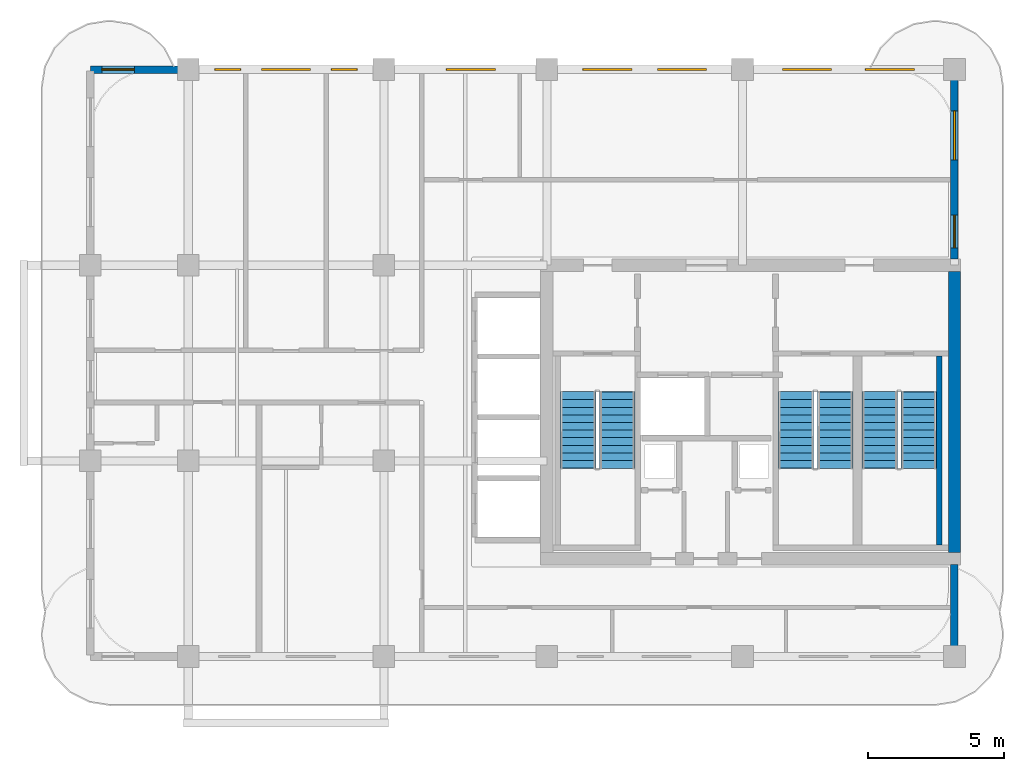
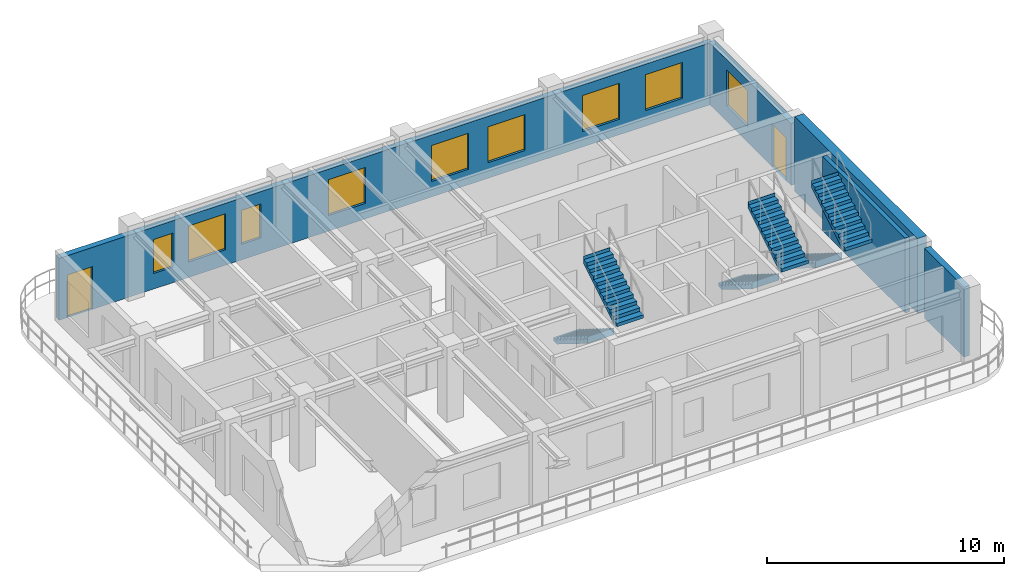
# One storey, part 5 of 7: 9 windows, 6 stair flights, 5 walls, 2 doors, 11 openings, 3 elements without a shape of their own.
"""IFC4 building model written with IfcOpenShell, lengths in metres."""

from ifc_helpers import new_model, si_unit, derived_unit, direction, frame, frame_2d, origin, place, context, subcontext, project, spatial, polyline, rectangle, outline, extrude, source, transform, mapped, material, layer, layer_set, type_object, type_shapes, element, fill, aggregate, save


model = new_model("IFC4")

# Units and contexts
model_context = context("Model", 3, precision=1e-05, world=origin(), true_north=direction((0.0, 1.0)))
body_context = subcontext(model_context, "Body", "Model", "MODEL_VIEW")
ifc_project = project(units=[si_unit("LENGTHUNIT", "METRE"), si_unit("AREAUNIT", "SQUARE_METRE"), si_unit("VOLUMEUNIT", "CUBIC_METRE"), si_unit("PLANEANGLEUNIT", "RADIAN"), si_unit("MASSUNIT", "GRAM", prefix="KILO"), si_unit("THERMODYNAMICTEMPERATUREUNIT", "KELVIN"), si_unit("POWERUNIT", "WATT"), derived_unit("THERMALTRANSMITTANCEUNIT", [(si_unit("POWERUNIT", "WATT"), 1), (si_unit("AREAUNIT", "SQUARE_METRE"), -1), (si_unit("THERMODYNAMICTEMPERATUREUNIT", "KELVIN"), -1)])], contexts=[model_context])

# Site, building, storey
site_placement = place(None, origin())
site = spatial("IfcSite", under=ifc_project, at=site_placement, CompositionType="ELEMENT")
building_placement = place(site_placement, origin())
building = spatial("IfcBuilding", under=site, at=building_placement, Name="Zahravan Archway Hotel and Residences", CompositionType="ELEMENT")
storey_placement = place(building_placement, frame((0.0, 0.0, 267.35009765625)))
storey = spatial("IfcBuildingStorey", under=building, at=storey_placement, Name="L67", CompositionType="ELEMENT", Elevation=267.35009765625)

# Walls
ifc_material_1 = material(Name="Concrete C50/60", Category="concrete")
ifc_layer_1 = layer(ifc_material_1, 0.449951171875, Name="Concrete C50/60", Category="concrete")
ifc_layer_set_1 = layer_set([ifc_layer_1], Name="Concrete C50/60")
wall_type_1 = type_object("IfcWallType", Name="CW-CORE-450", PredefinedType="SHEAR", material=ifc_layer_set_1)
wall_1_placement = place(storey_placement, frame((49.800048828125, 3.824951171875, 0.0), z_axis=(0.0, 0.0, 1.0), x_axis=(0.0, 1.0, 0.0)))
element("IfcWall", 1, at=wall_1_placement, inside=storey, type_object=wall_type_1, Name="L67 Core A Shear E Wall 450 mm", PredefinedType="SHEAR", context=body_context, shape_type="SweptSolid", body=[
    extrude(rectangle(XDim=10.35009765625, YDim=0.449951171875, at=frame_2d((5.175048828125, 0.0))), origin(), (0.0, 0.0, 1.0), 3.849853515625),
])
ifc_material_2 = material(Name="Honed Red-Ochre Sandstone & Insulated Block", Category="masonry")
ifc_layer_2 = layer(ifc_material_2, 0.280029296875, Name="Honed Red-Ochre Sandstone & Insulated Block", Category="masonry")
ifc_layer_set_2 = layer_set([ifc_layer_2], Name="Honed Red-Ochre Sandstone & Insulated Block")
wall_type_2 = type_object("IfcWallType", Name="EW-LOG-280", PredefinedType="SOLIDWALL", material=ifc_layer_set_2)
wall_2_placement = place(storey_placement, frame((49.800048828125, 0.050048828125, 0.0), z_axis=(0.0, 0.0, 1.0), x_axis=(0.0, 1.0, 0.0)))
element("IfcWall", 2, at=wall_2_placement, inside=storey, type_object=wall_type_2, Name="L67 Exterior Sandstone Wall WA-ES", PredefinedType="SOLIDWALL", context=body_context, shape_type="SweptSolid", body=[
    extrude(rectangle(XDim=3.329833984375, YDim=0.280029296875, at=frame_2d((1.6650390625, 0.0))), origin(), (0.0, 0.0, 1.0), 3.599853515625),
])

# Wall, openings, door, window
wall_3_placement = place(storey_placement, frame((49.800048828125, 14.6201171875, 0.0), z_axis=(0.0, 0.0, 1.0), x_axis=(0.0, 1.0, 0.0)))
wall_3 = element("IfcWall", 3, at=wall_3_placement, inside=storey, type_object=wall_type_2, Name="L67 Exterior Sandstone Wall WA-EN", PredefinedType="SOLIDWALL", context=body_context, shape_type="SweptSolid", body=[
    extrude(rectangle(XDim=6.929931640625, YDim=0.280029296875, at=frame_2d((3.46484375, 0.0))), origin(), (0.0, 0.0, 1.0), 3.184814453125),
])
opening_1_placement = place(wall_3_placement, frame((0.419921875, 0.0, 0.0)))
opening_1 = element("IfcOpeningElement", 4, at=opening_1_placement, cuts=wall_3, Name="Opening ED-BL1", PredefinedType="OPENING", context=body_context, shape_type="SweptSolid", body=[
    extrude(rectangle(XDim=1.199951171875, YDim=2.199951171875, at=frame_2d((0.60009765625, 1.10009765625))), frame((0.0, 0.14990234375, 0.0), z_axis=(0.0, -1.0, 0.0), x_axis=(1.0, 0.0, 0.0)), (0.0, 0.0, 1.0), 0.300048828125),
])
opening_2_placement = place(wall_3_placement, frame((3.658935546875, 0.0, 0.800048828125)))
opening_2 = element("IfcOpeningElement", 5, at=opening_2_placement, cuts=wall_3, Name="Opening W-02", PredefinedType="OPENING", context=body_context, shape_type="SweptSolid", body=[
    extrude(rectangle(XDim=1.800048828125, YDim=1.85009765625, at=frame_2d((0.89990234375, 0.925048828125))), frame((0.0, 0.14990234375, 0.0), z_axis=(0.0, -1.0, 0.0), x_axis=(1.0, 0.0, 0.0)), (0.0, 0.0, 1.0), 0.300048828125),
])
ifc_material_3 = material(Name="Bronze-Anodized Glazed Aluminium", Category="aluminium")
door_type = type_object("IfcDoorType", Name="ED-BALC-1200", OperationType="SLIDING_TO_LEFT", PredefinedType="DOOR", material=ifc_material_3)
shared_shape_1 = source(origin(), body_context, "Body", "SweptSolid", [
    extrude(rectangle(XDim=1.199951171875, YDim=2.199951171875, at=frame_2d((0.60009765625, 1.10009765625))), frame((0.0, 0.02490234375, 0.0), z_axis=(0.0, -1.0, 0.0), x_axis=(1.0, 0.0, 0.0)), (0.0, 0.0, 1.0), 0.050048828125),
])
type_shapes(door_type, [shared_shape_1])
door_1_placement = place(opening_1_placement, origin())
door_1 = element("IfcDoor", 6, at=door_1_placement, inside=storey, type_object=door_type, Name="L67 Outdoor Access Sliding Door (SLB-BAL-L67-EA)", OperationType="SLIDING_TO_LEFT", OverallHeight=2.199951171875, OverallWidth=1.199951171875, PredefinedType="DOOR", context=body_context, shape_type="MappedRepresentation", body=[
    mapped(shared_shape_1, transform((0.0, 0.0, 0.0), scale=1.0)),
])
fill(opening_1, door_1)
ifc_material_4 = material(Name="Bronze-Anodized Thermal-Break Aluminium & Low-E Glass", Category="aluminium")
window_type_1 = type_object("IfcWindowType", Name="WIN-TWR-1800", PartitioningType="DOUBLE_PANEL_VERTICAL", PredefinedType="WINDOW", material=ifc_material_4)
shared_shape_2 = source(origin(), body_context, "Body", "SweptSolid", [
    extrude(rectangle(XDim=1.800048828125, YDim=1.85009765625, at=frame_2d((0.89990234375, 0.925048828125))), frame((0.0, 0.030029296875, 0.0), z_axis=(0.0, -1.0, 0.0), x_axis=(1.0, 0.0, 0.0)), (0.0, 0.0, 1.0), 0.06005859375),
])
type_shapes(window_type_1, [shared_shape_2])
window_1_placement = place(opening_2_placement, origin())
window_1 = element("IfcWindow", 7, at=window_1_placement, inside=storey, type_object=window_type_1, Name="L67 Loggia Window 08", OverallHeight=1.85009765625, OverallWidth=1.800048828125, PartitioningType="DOUBLE_PANEL_VERTICAL", PredefinedType="WINDOW", context=body_context, shape_type="MappedRepresentation", body=[
    mapped(shared_shape_2, transform((0.0, 0.0, 0.0), scale=1.0)),
])
fill(opening_2, window_1)

# Wall, openings, door, windows
wall_4_placement = place(storey_placement, frame((18.0, 21.60009765625, 0.0), z_axis=(0.0, 0.0, 1.0), x_axis=(1.0, 0.0, 0.0)))
wall_4 = element("IfcWall", 8, at=wall_4_placement, inside=storey, type_object=wall_type_2, Name="L67 Exterior Sandstone Wall WA-N", PredefinedType="SOLIDWALL", context=body_context, shape_type="SweptSolid", body=[
    extrude(rectangle(XDim=31.800048828125, YDim=0.280029296875, at=frame_2d((15.89990234375, 0.0))), origin(), (0.0, 0.0, 1.0), 3.184814453125),
])
opening_3_placement = place(wall_4_placement, frame((0.419921875, 0.0, 0.0)))
opening_3 = element("IfcOpeningElement", 9, at=opening_3_placement, cuts=wall_4, Name="Opening ED-BL1", PredefinedType="OPENING", context=body_context, shape_type="SweptSolid", body=[
    extrude(rectangle(XDim=1.199951171875, YDim=2.199951171875, at=frame_2d((0.60009765625, 1.10009765625))), frame((0.0, 0.14990234375, 0.0), z_axis=(0.0, -1.0, 0.0), x_axis=(1.0, 0.0, 0.0)), (0.0, 0.0, 1.0), 0.300048828125),
])
opening_4_placement = place(wall_4_placement, frame((4.5810546875, 0.0, 0.800048828125)))
opening_4 = element("IfcOpeningElement", 10, at=opening_4_placement, cuts=wall_4, Name="Opening W-04", PredefinedType="OPENING", context=body_context, shape_type="SweptSolid", body=[
    extrude(rectangle(XDim=0.949951171875, YDim=1.75, at=frame_2d((0.47509765625, 0.875))), frame((0.0, 0.14990234375, 0.0), z_axis=(0.0, -1.0, 0.0), x_axis=(1.0, 0.0, 0.0)), (0.0, 0.0, 1.0), 0.300048828125),
])
opening_5_placement = place(wall_4_placement, frame((6.300048828125, 0.0, 0.800048828125)))
opening_5 = element("IfcOpeningElement", 11, at=opening_5_placement, cuts=wall_4, Name="Opening W-02", PredefinedType="OPENING", context=body_context, shape_type="SweptSolid", body=[
    extrude(rectangle(XDim=1.800048828125, YDim=1.85009765625, at=frame_2d((0.89990234375, 0.925048828125))), frame((0.0, 0.14990234375, 0.0), z_axis=(0.0, -1.0, 0.0), x_axis=(1.0, 0.0, 0.0)), (0.0, 0.0, 1.0), 0.300048828125),
])
opening_6_placement = place(wall_4_placement, frame((8.868896484375, 0.0, 0.800048828125)))
opening_6 = element("IfcOpeningElement", 12, at=opening_6_placement, cuts=wall_4, Name="Opening W-04", PredefinedType="OPENING", context=body_context, shape_type="SweptSolid", body=[
    extrude(rectangle(XDim=0.949951171875, YDim=1.75, at=frame_2d((0.47509765625, 0.875))), frame((0.0, 0.14990234375, 0.0), z_axis=(0.0, -1.0, 0.0), x_axis=(1.0, 0.0, 0.0)), (0.0, 0.0, 1.0), 0.300048828125),
])
opening_7_placement = place(wall_4_placement, frame((13.10107421875, 0.0, 0.800048828125)))
opening_7 = element("IfcOpeningElement", 13, at=opening_7_placement, cuts=wall_4, Name="Opening W-02", PredefinedType="OPENING", context=body_context, shape_type="SweptSolid", body=[
    extrude(rectangle(XDim=1.800048828125, YDim=1.85009765625, at=frame_2d((0.89990234375, 0.925048828125))), frame((0.0, 0.14990234375, 0.0), z_axis=(0.0, -1.0, 0.0), x_axis=(1.0, 0.0, 0.0)), (0.0, 0.0, 1.0), 0.300048828125),
])
opening_8_placement = place(wall_4_placement, frame((18.125, 0.0, 0.800048828125)))
opening_8 = element("IfcOpeningElement", 14, at=opening_8_placement, cuts=wall_4, Name="Opening W-02", PredefinedType="OPENING", context=body_context, shape_type="SweptSolid", body=[
    extrude(rectangle(XDim=1.800048828125, YDim=1.85009765625, at=frame_2d((0.89990234375, 0.925048828125))), frame((0.0, 0.14990234375, 0.0), z_axis=(0.0, -1.0, 0.0), x_axis=(1.0, 0.0, 0.0)), (0.0, 0.0, 1.0), 0.300048828125),
])
opening_9_placement = place(wall_4_placement, frame((20.875, 0.0, 0.800048828125)))
opening_9 = element("IfcOpeningElement", 15, at=opening_9_placement, cuts=wall_4, Name="Opening W-02", PredefinedType="OPENING", context=body_context, shape_type="SweptSolid", body=[
    extrude(rectangle(XDim=1.800048828125, YDim=1.85009765625, at=frame_2d((0.89990234375, 0.925048828125))), frame((0.0, 0.14990234375, 0.0), z_axis=(0.0, -1.0, 0.0), x_axis=(1.0, 0.0, 0.0)), (0.0, 0.0, 1.0), 0.300048828125),
])
opening_10_placement = place(wall_4_placement, frame((25.47509765625, 0.0, 0.800048828125)))
opening_10 = element("IfcOpeningElement", 16, at=opening_10_placement, cuts=wall_4, Name="Opening W-02", PredefinedType="OPENING", context=body_context, shape_type="SweptSolid", body=[
    extrude(rectangle(XDim=1.800048828125, YDim=1.85009765625, at=frame_2d((0.89990234375, 0.925048828125))), frame((0.0, 0.14990234375, 0.0), z_axis=(0.0, -1.0, 0.0), x_axis=(1.0, 0.0, 0.0)), (0.0, 0.0, 1.0), 0.300048828125),
])
opening_11_placement = place(wall_4_placement, frame((28.52490234375, 0.0, 0.800048828125)))
opening_11 = element("IfcOpeningElement", 17, at=opening_11_placement, cuts=wall_4, Name="Opening W-02", PredefinedType="OPENING", context=body_context, shape_type="SweptSolid", body=[
    extrude(rectangle(XDim=1.800048828125, YDim=1.85009765625, at=frame_2d((0.89990234375, 0.925048828125))), frame((0.0, 0.14990234375, 0.0), z_axis=(0.0, -1.0, 0.0), x_axis=(1.0, 0.0, 0.0)), (0.0, 0.0, 1.0), 0.300048828125),
])
door_2_placement = place(opening_3_placement, origin())
door_2 = element("IfcDoor", 18, at=door_2_placement, inside=storey, type_object=door_type, Name="L67 Outdoor Access Sliding Door (SLB-BAL-L67-WA)", OperationType="SLIDING_TO_LEFT", OverallHeight=2.199951171875, OverallWidth=1.199951171875, PredefinedType="DOOR", context=body_context, shape_type="MappedRepresentation", body=[
    mapped(shared_shape_1, transform((0.0, 0.0, 0.0), scale=1.0)),
])
fill(opening_3, door_2)
window_type_2 = type_object("IfcWindowType", Name="WIN-NAR-950", PartitioningType="SINGLE_PANEL", PredefinedType="WINDOW", material=ifc_material_4)
shared_shape_3 = source(origin(), body_context, "Body", "SweptSolid", [
    extrude(rectangle(XDim=0.949951171875, YDim=1.75, at=frame_2d((0.47509765625, 0.875))), frame((0.0, 0.030029296875, 0.0), z_axis=(0.0, -1.0, 0.0), x_axis=(1.0, 0.0, 0.0)), (0.0, 0.0, 1.0), 0.06005859375),
])
type_shapes(window_type_2, [shared_shape_3])
window_2_placement = place(opening_4_placement, origin())
window_2 = element("IfcWindow", 19, at=window_2_placement, inside=storey, type_object=window_type_2, Name="L67 Loggia Window 09", OverallHeight=1.75, OverallWidth=0.949951171875, PartitioningType="SINGLE_PANEL", PredefinedType="WINDOW", context=body_context, shape_type="MappedRepresentation", body=[
    mapped(shared_shape_3, transform((0.0, 0.0, 0.0), scale=1.0)),
])
fill(opening_4, window_2)
window_3_placement = place(opening_6_placement, origin())
window_3 = element("IfcWindow", 20, at=window_3_placement, inside=storey, type_object=window_type_2, Name="L67 Loggia Window 11", OverallHeight=1.75, OverallWidth=0.949951171875, PartitioningType="SINGLE_PANEL", PredefinedType="WINDOW", context=body_context, shape_type="MappedRepresentation", body=[
    mapped(shared_shape_3, transform((0.0, 0.0, 0.0), scale=1.0)),
])
fill(opening_6, window_3)
window_4_placement = place(opening_5_placement, origin())
window_4 = element("IfcWindow", 21, at=window_4_placement, inside=storey, type_object=window_type_1, Name="L67 Loggia Window 10", OverallHeight=1.85009765625, OverallWidth=1.800048828125, PartitioningType="DOUBLE_PANEL_VERTICAL", PredefinedType="WINDOW", context=body_context, shape_type="MappedRepresentation", body=[
    mapped(shared_shape_2, transform((0.0, 0.0, 0.0), scale=1.0)),
])
fill(opening_5, window_4)
window_5_placement = place(opening_7_placement, origin())
window_5 = element("IfcWindow", 22, at=window_5_placement, inside=storey, type_object=window_type_1, Name="L67 Loggia Window 12", OverallHeight=1.85009765625, OverallWidth=1.800048828125, PartitioningType="DOUBLE_PANEL_VERTICAL", PredefinedType="WINDOW", context=body_context, shape_type="MappedRepresentation", body=[
    mapped(shared_shape_2, transform((0.0, 0.0, 0.0), scale=1.0)),
])
fill(opening_7, window_5)
window_6_placement = place(opening_8_placement, origin())
window_6 = element("IfcWindow", 23, at=window_6_placement, inside=storey, type_object=window_type_1, Name="L67 Loggia Window 13", OverallHeight=1.85009765625, OverallWidth=1.800048828125, PartitioningType="DOUBLE_PANEL_VERTICAL", PredefinedType="WINDOW", context=body_context, shape_type="MappedRepresentation", body=[
    mapped(shared_shape_2, transform((0.0, 0.0, 0.0), scale=1.0)),
])
fill(opening_8, window_6)
window_7_placement = place(opening_9_placement, origin())
window_7 = element("IfcWindow", 24, at=window_7_placement, inside=storey, type_object=window_type_1, Name="L67 Loggia Window 14", OverallHeight=1.85009765625, OverallWidth=1.800048828125, PartitioningType="DOUBLE_PANEL_VERTICAL", PredefinedType="WINDOW", context=body_context, shape_type="MappedRepresentation", body=[
    mapped(shared_shape_2, transform((0.0, 0.0, 0.0), scale=1.0)),
])
fill(opening_9, window_7)
window_8_placement = place(opening_10_placement, origin())
window_8 = element("IfcWindow", 25, at=window_8_placement, inside=storey, type_object=window_type_1, Name="L67 Loggia Window 15", OverallHeight=1.85009765625, OverallWidth=1.800048828125, PartitioningType="DOUBLE_PANEL_VERTICAL", PredefinedType="WINDOW", context=body_context, shape_type="MappedRepresentation", body=[
    mapped(shared_shape_2, transform((0.0, 0.0, 0.0), scale=1.0)),
])
fill(opening_10, window_8)
window_9_placement = place(opening_11_placement, origin())
window_9 = element("IfcWindow", 26, at=window_9_placement, inside=storey, type_object=window_type_1, Name="L67 Loggia Window 16", OverallHeight=1.85009765625, OverallWidth=1.800048828125, PartitioningType="DOUBLE_PANEL_VERTICAL", PredefinedType="WINDOW", context=body_context, shape_type="MappedRepresentation", body=[
    mapped(shared_shape_2, transform((0.0, 0.0, 0.0), scale=1.0)),
])
fill(opening_11, window_9)

# Wall
ifc_layer_3 = layer(ifc_material_1, 0.199951171875, Name="Concrete C50/60", Category="concrete")
ifc_layer_set_3 = layer_set([ifc_layer_3], Name="Concrete C50/60")
wall_type_3 = type_object("IfcWallType", Name="SW-STAIR-200", PredefinedType="SHEAR", material=ifc_layer_set_3)
wall_5_placement = place(storey_placement, frame((49.239990234375, 4.10009765625, 0.0), z_axis=(0.0, 0.0, 1.0), x_axis=(0.0, 1.0, 0.0)))
element("IfcWall", 27, at=wall_5_placement, inside=storey, type_object=wall_type_3, Name="L67 Stairwell RC Wall CA-SA3E", PredefinedType="SHEAR", context=body_context, shape_type="SweptSolid", body=[
    extrude(rectangle(XDim=6.949951171875, YDim=0.199951171875, at=frame_2d((3.47509765625, 0.0))), origin(), (0.0, 0.0, 1.0), 3.849853515625),
])

# Stair, stair flights
stair_type = type_object("IfcStairType", Name="STR-CORE-1300", PredefinedType="HALF_TURN_STAIR", material=ifc_material_1)
stair_1_placement = place(storey_placement, origin())
stair_1 = element("IfcStair", 28, at=stair_1_placement, inside=storey, type_object=stair_type, Name="L67 Core A Exit Stair 1", PredefinedType="HALF_TURN_STAIR")
ifc_layer_4 = layer(ifc_material_1, 0.199951171875, Name="Concrete C50/60", Category="concrete")
ifc_layer_set_4 = layer_set([ifc_layer_4], Name="Concrete C50/60")
stair_flight_type = type_object("IfcStairFlightType", Name="SFL-CORE-1300", PredefinedType="STRAIGHT", material=ifc_layer_set_4)
shared_shape_4 = source(origin(), body_context, "Body", "SweptSolid", [
    extrude(outline(polyline([(-0.01611328125, 0.0), (-0.01611328125, 0.175048828125), (0.280029296875, 0.175048828125), (0.280029296875, 0.35009765625), (0.56005859375, 0.35009765625), (0.56005859375, 0.52490234375), (0.840087890625, 0.52490234375), (0.840087890625, 0.699951171875), (1.1201171875, 0.699951171875), (1.1201171875, 0.875), (1.39990234375, 0.875), (1.39990234375, 1.050048828125), (1.679931640625, 1.050048828125), (1.679931640625, 1.22509765625), (1.9599609375, 1.22509765625), (1.9599609375, 1.39990234375), (2.239990234375, 1.39990234375), (2.239990234375, 1.574951171875), (2.52001953125, 1.574951171875), (2.52001953125, 1.75), (2.800048828125, 1.75), (2.800048828125, 1.925048828125), (2.816162109375, 1.925048828125), (2.816162109375, 1.5732421875), (0.28271484375, 0.0), (-0.01611328125, 0.0)])), frame((0.0, 0.64990234375, 0.0), z_axis=(0.0, -1.0, 0.0), x_axis=(1.0, 0.0, 0.0)), (0.0, 0.0, 1.0), 1.300048828125),
])
stair_flight_1_placement = place(storey_placement, frame((35.949951171875, 9.72998046875, 0.0), z_axis=(0.0, 0.0, 1.0), x_axis=(0.0, -1.0, 0.0)))
stair_flight_1 = element("IfcStairFlight", 29, at=stair_flight_1_placement, type_object=stair_flight_type, Name="ST-A1 flight 1", NumberOfRisers=11, NumberOfTreads=10, PredefinedType="STRAIGHT", RiserHeight=0.175, TreadLength=0.28, context=body_context, shape_type="MappedRepresentation", body=[
    mapped(shared_shape_4, transform((0.0, 0.0, 0.0), scale=1.0)),
])
stair_flight_2_placement = place(storey_placement, frame((37.389892578125, 6.929931640625, 1.9248046875), z_axis=(0.0, 0.0, 1.0), x_axis=(0.0, 1.0, 0.0)))
stair_flight_2 = element("IfcStairFlight", 30, at=stair_flight_2_placement, type_object=stair_flight_type, Name="ST-A1 flight 2", NumberOfRisers=11, NumberOfTreads=10, PredefinedType="STRAIGHT", RiserHeight=0.175, TreadLength=0.28, context=body_context, shape_type="MappedRepresentation", body=[
    mapped(shared_shape_4, transform((0.0, 0.0, 0.0), scale=1.0)),
])
aggregate(stair_1, [stair_flight_1, stair_flight_2])

stair_2_placement = place(storey_placement, origin())
stair_2 = element("IfcStair", 31, at=stair_2_placement, inside=storey, type_object=stair_type, Name="L67 Core A Exit Stair 2", PredefinedType="HALF_TURN_STAIR")
stair_flight_3_placement = place(storey_placement, frame((43.969970703125, 9.72998046875, 0.0), z_axis=(0.0, 0.0, 1.0), x_axis=(0.0, -1.0, 0.0)))
stair_flight_3 = element("IfcStairFlight", 32, at=stair_flight_3_placement, type_object=stair_flight_type, Name="ST-A2 flight 1", NumberOfRisers=11, NumberOfTreads=10, PredefinedType="STRAIGHT", RiserHeight=0.175, TreadLength=0.28, context=body_context, shape_type="MappedRepresentation", body=[
    mapped(shared_shape_4, transform((0.0, 0.0, 0.0), scale=1.0)),
])
stair_flight_4_placement = place(storey_placement, frame((45.409912109375, 6.929931640625, 1.9248046875), z_axis=(0.0, 0.0, 1.0), x_axis=(0.0, 1.0, 0.0)))
stair_flight_4 = element("IfcStairFlight", 33, at=stair_flight_4_placement, type_object=stair_flight_type, Name="ST-A2 flight 2", NumberOfRisers=11, NumberOfTreads=10, PredefinedType="STRAIGHT", RiserHeight=0.175, TreadLength=0.28, context=body_context, shape_type="MappedRepresentation", body=[
    mapped(shared_shape_4, transform((0.0, 0.0, 0.0), scale=1.0)),
])
aggregate(stair_2, [stair_flight_3, stair_flight_4])

stair_3_placement = place(storey_placement, origin())
stair_3 = element("IfcStair", 34, at=stair_3_placement, inside=storey, type_object=stair_type, Name="L67 Core A Exit Stair 3", PredefinedType="HALF_TURN_STAIR")
stair_flight_5_placement = place(storey_placement, frame((47.050048828125, 9.72998046875, 0.0), z_axis=(0.0, 0.0, 1.0), x_axis=(0.0, -1.0, 0.0)))
stair_flight_5 = element("IfcStairFlight", 35, at=stair_flight_5_placement, type_object=stair_flight_type, Name="ST-A3 flight 1", NumberOfRisers=11, NumberOfTreads=10, PredefinedType="STRAIGHT", RiserHeight=0.175, TreadLength=0.28, context=body_context, shape_type="MappedRepresentation", body=[
    mapped(shared_shape_4, transform((0.0, 0.0, 0.0), scale=1.0)),
])
stair_flight_6_placement = place(storey_placement, frame((48.489990234375, 6.929931640625, 1.9248046875), z_axis=(0.0, 0.0, 1.0), x_axis=(0.0, 1.0, 0.0)))
stair_flight_6 = element("IfcStairFlight", 36, at=stair_flight_6_placement, type_object=stair_flight_type, Name="ST-A3 flight 2", NumberOfRisers=11, NumberOfTreads=10, PredefinedType="STRAIGHT", RiserHeight=0.175, TreadLength=0.28, context=body_context, shape_type="MappedRepresentation", body=[
    mapped(shared_shape_4, transform((0.0, 0.0, 0.0), scale=1.0)),
])
aggregate(stair_3, [stair_flight_5, stair_flight_6])

save(model, "model.ifc")
